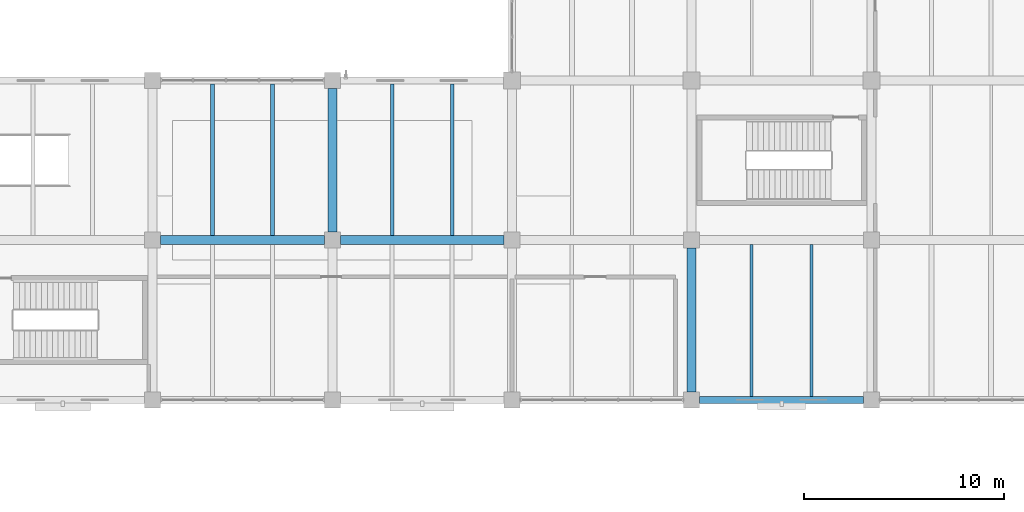
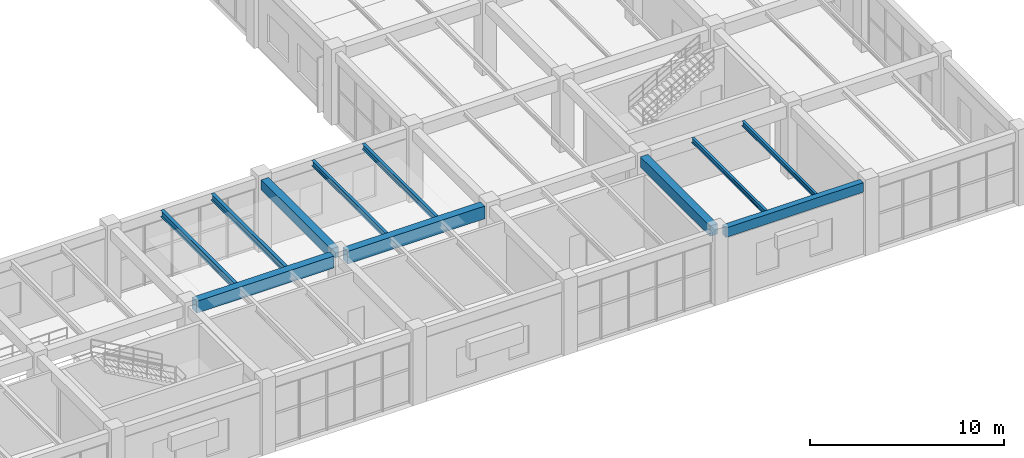
# One storey, part 112 of 178: 11 beams.
"""IFC4 building model written with IfcOpenShell, lengths in metres."""

from ifc_helpers import new_model, si_unit, derived_unit, direction, frame, origin, origin_2d, place, context, subcontext, project, spatial, rectangle, i_section, extrude, material, material_profile, profile_set, type_object, element, save


model = new_model("IFC4")

# Units and contexts
model_context = context("Model", 3, precision=1e-05, world=origin(), true_north=direction((0.0, 1.0)))
body_context = subcontext(model_context, "Body", "Model", "MODEL_VIEW")
ifc_project = project(units=[si_unit("LENGTHUNIT", "METRE"), si_unit("AREAUNIT", "SQUARE_METRE"), si_unit("VOLUMEUNIT", "CUBIC_METRE"), si_unit("PLANEANGLEUNIT", "RADIAN"), si_unit("MASSUNIT", "GRAM", prefix="KILO"), derived_unit("THERMALTRANSMITTANCEUNIT", [(si_unit("MASSUNIT", "GRAM", prefix="KILO"), 1), (si_unit("TIMEUNIT", "SECOND"), -3), (si_unit("THERMODYNAMICTEMPERATUREUNIT", "KELVIN"), -1)])], contexts=[model_context])

# Site, building, storey
site_placement = place(None, origin())
site = spatial("IfcSite", under=ifc_project, at=site_placement, CompositionType="ELEMENT")
building_placement = place(site_placement, origin())
building = spatial("IfcBuilding", under=site, at=building_placement, Name="Zhenchuan Archway Interchange", CompositionType="ELEMENT")
storey_placement = place(building_placement, frame((0.0, 0.0, 5.39990234375)))
storey = spatial("IfcBuildingStorey", under=building, at=storey_placement, Name="L01", CompositionType="ELEMENT", Elevation=5.39990234375)

# Beams
ifc_material_1 = material(Name="Concrete C40", Category="concrete")
ifc_material_profile_1 = material_profile(ifc_material_1, rectangle(XDim=0.449951171875, YDim=0.64990234375, at=origin_2d()), Name="RC 450x650")
ifc_profile_set_1 = profile_set([ifc_material_profile_1], Name="Concrete C40")
beam_type_1 = type_object("IfcBeamType", Name="BM_RC_450x650", PredefinedType="BEAM", material=ifc_profile_set_1)
for number, where, z_axis, x_axis, name in (
    (1, (135.0, 16.39990234375, 4.18505859375), (0.0, 1.0, 0.0), (-1.0, 0.0, 0.0), "Beam 16:C-D (L01)"),
    (2, (153.0, 8.39990234375, 4.18505859375), (0.0, 1.0, 0.0), (-1.0, 0.0, 0.0), "Beam 18:B-C (L01)"),
):
    element("IfcBeam", number, at=place(storey_placement, frame(where, z_axis=z_axis, x_axis=x_axis)), inside=storey, type_object=beam_type_1, Name=name, PredefinedType="BEAM", context=body_context, shape_type="SweptSolid", body=[
        extrude(rectangle(XDim=0.449951171875, YDim=0.64990234375, at=origin_2d()), origin(), (0.0, 0.0, 1.0), 7.2001953125),
    ])
ifc_material_profile_2 = material_profile(ifc_material_1, rectangle(XDim=0.449951171875, YDim=0.75, at=origin_2d()), Name="RC 450x750")
ifc_profile_set_2 = profile_set([ifc_material_profile_2], Name="Concrete C40")
beam_type_2 = type_object("IfcBeamType", Name="BM_RC_450x750", PredefinedType="BEAM", material=ifc_profile_set_2)
beam_1_placement = place(storey_placement, frame((126.39990234375, 16.0, 4.135009765625), z_axis=(1.0, 0.0, 0.0), x_axis=(0.0, 1.0, 0.0)))
element("IfcBeam", 3, at=beam_1_placement, inside=storey, type_object=beam_type_2, Name="Beam C:15-16 (L01)", PredefinedType="BEAM", context=body_context, shape_type="SweptSolid", body=[
    extrude(rectangle(XDim=0.449951171875, YDim=0.75, at=origin_2d()), origin(), (0.0, 0.0, 1.0), 8.2001953125),
])
ifc_material_profile_3 = material_profile(ifc_material_1, rectangle(XDim=0.449951171875, YDim=0.800048828125, at=origin_2d()), Name="RC 450x800")
ifc_profile_set_3 = profile_set([ifc_material_profile_3], Name="Concrete C40")
beam_type_3 = type_object("IfcBeamType", Name="BM_RC_450x800", PredefinedType="BEAM", material=ifc_profile_set_3)
beam_2_placement = place(storey_placement, frame((135.39990234375, 16.0, 4.110107421875), z_axis=(1.0, 0.0, 0.0), x_axis=(0.0, 1.0, 0.0)))
element("IfcBeam", 4, at=beam_2_placement, inside=storey, type_object=beam_type_3, Name="Beam C:16-17 (L01)", PredefinedType="BEAM", context=body_context, shape_type="SweptSolid", body=[
    extrude(rectangle(XDim=0.449951171875, YDim=0.800048828125, at=origin_2d()), origin(), (0.0, 0.0, 1.0), 8.2001953125),
])
ifc_material_2 = material(Name="Steel Q355", Category="steel")
ifc_material_profile_4 = material_profile(ifc_material_2, i_section(OverallWidth=0.14990234375, OverallDepth=0.300048828125, WebThickness=0.006591796875, FlangeThickness=0.009033203125, FilletRadius=0.012939453125, at=origin_2d()), Name="HN 300x150")
ifc_profile_set_4 = profile_set([ifc_material_profile_4], Name="Steel Q355")
beam_type_4 = type_object("IfcBeamType", Name="JST_STL_HN300", PredefinedType="JOIST", material=ifc_profile_set_4)
for number, where, z_axis, x_axis, name in (
    (5, (156.0, 8.175048828125, 4.360107421875), (0.0, 1.0, 0.0), (-1.0, 0.0, 0.0), "Secondary joist 18-19/B-C #1 (L01)"),
    (6, (159.0, 8.175048828125, 4.360107421875), (0.0, 1.0, 0.0), (-1.0, 0.0, 0.0), "Secondary joist 18-19/B-C #2 (L01)"),
):
    element("IfcBeam", number, at=place(storey_placement, frame(where, z_axis=z_axis, x_axis=x_axis)), inside=storey, type_object=beam_type_4, Name=name, PredefinedType="JOIST", context=body_context, shape_type="SweptSolid", body=[
        extrude(i_section(OverallWidth=0.14990234375, OverallDepth=0.300048828125, WebThickness=0.006591796875, FlangeThickness=0.009033203125, FilletRadius=0.012939453125, at=origin_2d()), origin(), (0.0, 0.0, 1.0), 7.599853515625),
    ])
ifc_material_profile_5 = material_profile(ifc_material_2, i_section(OverallWidth=0.175048828125, OverallDepth=0.35009765625, WebThickness=0.007080078125, FlangeThickness=0.010986328125, FilletRadius=0.013916015625, at=origin_2d()), Name="HN 350x175")
ifc_profile_set_5 = profile_set([ifc_material_profile_5], Name="Steel Q355")
beam_type_5 = type_object("IfcBeamType", Name="JST_STL_HN350", PredefinedType="JOIST", material=ifc_profile_set_5)
for number, where, z_axis, x_axis, name in (
    (7, (138.0, 16.22509765625, 4.335205078125), (0.0, 1.0, 0.0), (-1.0, 0.0, 0.0), "Secondary joist 16-17/C-D #1 (L01)"),
    (8, (141.0, 16.22509765625, 4.335205078125), (0.0, 1.0, 0.0), (-1.0, 0.0, 0.0), "Secondary joist 16-17/C-D #2 (L01)"),
):
    element("IfcBeam", number, at=place(storey_placement, frame(where, z_axis=z_axis, x_axis=x_axis)), inside=storey, type_object=beam_type_5, Name=name, PredefinedType="JOIST", context=body_context, shape_type="SweptSolid", body=[
        extrude(i_section(OverallWidth=0.175048828125, OverallDepth=0.35009765625, WebThickness=0.007080078125, FlangeThickness=0.010986328125, FilletRadius=0.013916015625, at=origin_2d()), origin(), (0.0, 0.0, 1.0), 7.599853515625),
    ])
ifc_material_profile_6 = material_profile(ifc_material_2, i_section(OverallWidth=0.199951171875, OverallDepth=0.39990234375, WebThickness=0.008056640625, FlangeThickness=0.012939453125, FilletRadius=0.01611328125, at=origin_2d()), Name="HN 400x200")
ifc_profile_set_6 = profile_set([ifc_material_profile_6], Name="Steel Q355")
beam_type_6 = type_object("IfcBeamType", Name="JST_STL_HN400", PredefinedType="JOIST", material=ifc_profile_set_6)
for number, where, z_axis, x_axis, name in (
    (9, (129.0, 16.22509765625, 4.31005859375), (0.0, 1.0, 0.0), (-1.0, 0.0, 0.0), "Secondary joist 15-16/C-D #1 (L01)"),
    (10, (132.0, 16.22509765625, 4.31005859375), (0.0, 1.0, 0.0), (-1.0, 0.0, 0.0), "Secondary joist 15-16/C-D #2 (L01)"),
):
    element("IfcBeam", number, at=place(storey_placement, frame(where, z_axis=z_axis, x_axis=x_axis)), inside=storey, type_object=beam_type_6, Name=name, PredefinedType="JOIST", context=body_context, shape_type="SweptSolid", body=[
        extrude(i_section(OverallWidth=0.199951171875, OverallDepth=0.39990234375, WebThickness=0.008056640625, FlangeThickness=0.012939453125, FilletRadius=0.01611328125, at=origin_2d()), origin(), (0.0, 0.0, 1.0), 7.599853515625),
    ])
ifc_material_profile_7 = material_profile(ifc_material_1, rectangle(XDim=0.35009765625, YDim=0.60009765625, at=origin_2d()), Name="RC 350x600")
ifc_profile_set_7 = profile_set([ifc_material_profile_7], Name="Concrete C40")
beam_type_7 = type_object("IfcBeamType", Name="SP_RC_350x600", PredefinedType="SPANDREL", material=ifc_profile_set_7)
beam_3_placement = place(storey_placement, frame((153.39990234375, 8.0, 4.210205078125), z_axis=(1.0, 0.0, 0.0), x_axis=(0.0, 1.0, 0.0)))
element("IfcBeam", 11, at=beam_3_placement, inside=storey, type_object=beam_type_7, Name="Beam B:18-19 (L01)", PredefinedType="SPANDREL", context=body_context, shape_type="SweptSolid", body=[
    extrude(rectangle(XDim=0.35009765625, YDim=0.60009765625, at=origin_2d()), origin(), (0.0, 0.0, 1.0), 8.2001953125),
])

save(model, "model.ifc")
